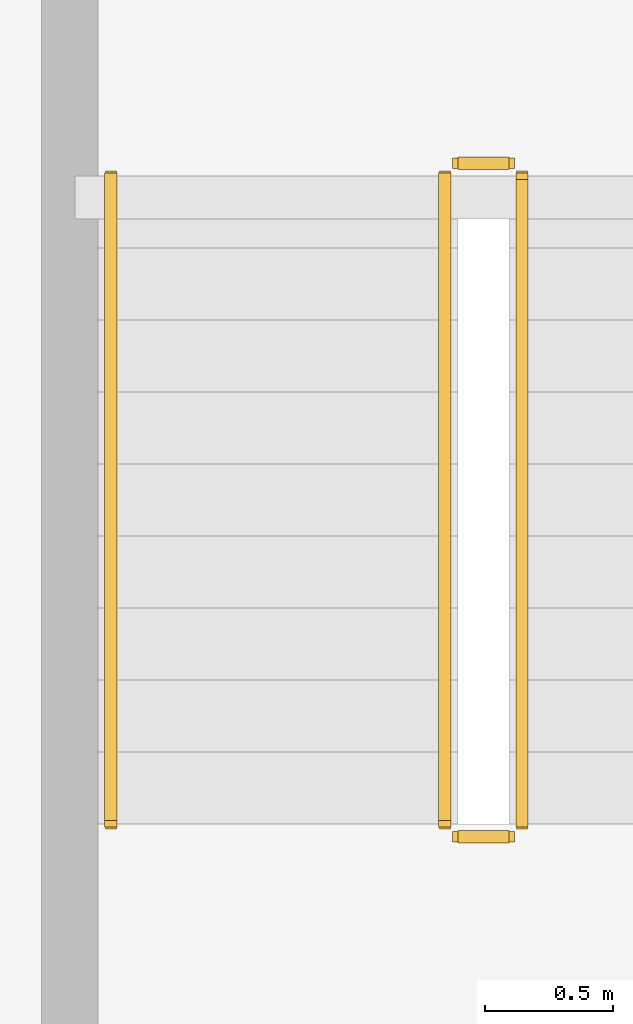
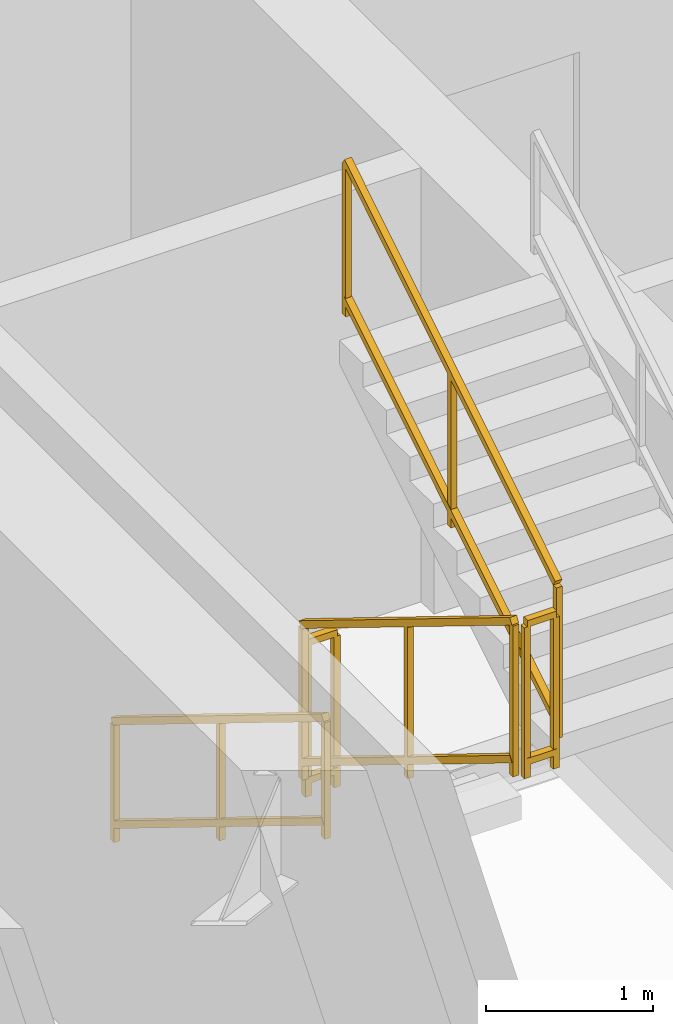
# One storey, part 29 of 32: 5 railings.
"""IFC4 building model written with IfcOpenShell, lengths in metres."""

from ifc_helpers import new_model, si_unit, direction, frame, origin, origin_2d, place, context, subcontext, project, spatial, rectangle, extrude, material, type_object, element, save


model = new_model("IFC4")

# Units and contexts
model_context = context("Model", 3, precision=1e-05, world=origin(), true_north=direction((0.0, 1.0)))
body_context = subcontext(model_context, "Body", "Model", "MODEL_VIEW")
ifc_project = project(units=[si_unit("LENGTHUNIT", "METRE"), si_unit("AREAUNIT", "SQUARE_METRE"), si_unit("VOLUMEUNIT", "CUBIC_METRE"), si_unit("PLANEANGLEUNIT", "RADIAN"), si_unit("MASSUNIT", "GRAM", prefix="KILO")], contexts=[model_context])

# Site, building, storey
site_placement = place(None, origin())
site = spatial("IfcSite", under=ifc_project, at=site_placement, CompositionType="ELEMENT")
building_placement = place(site_placement, origin())
building = spatial("IfcBuilding", under=site, at=building_placement, Name="Qarnah Convention Tower", CompositionType="ELEMENT")
storey_placement = place(building_placement, frame((0.0, 0.0, 37.35009765625)))
storey = spatial("IfcBuildingStorey", under=building, at=storey_placement, Name="L08", CompositionType="ELEMENT", Elevation=37.35009765625)

# Railings
ifc_material = material(Name="Structural steel S355JR", Category="steel")
railing_type_1 = type_object("IfcRailingType", Name="RL-STAIR-GUARD-1150", PredefinedType="GUARDRAIL", material=ifc_material)
railing_1_placement = place(storey_placement, frame((28.89990234375, 25.300048828125, 0.17236328125)))
element("IfcRailing", 1, at=railing_1_placement, inside=storey, type_object=railing_type_1, Name="L08 ST-1 stair guard 1", PredefinedType="GUARDRAIL", context=body_context, shape_type="SweptSolid", body=[
    extrude(rectangle(XDim=0.048095703125, YDim=0.048095703125, at=origin_2d()), frame((0.0, 0.0, 1.1259765625), z_axis=(0.0, -0.851400495292, 0.524516154772), x_axis=(1.0, 0.0, 0.0)), (0.0, 0.0, 1.0), 2.9599609375),
    extrude(rectangle(XDim=0.048095703125, YDim=0.048095703125, at=origin_2d()), frame((0.0, 0.0, 0.1201171875), z_axis=(0.0, -0.851400495292, 0.524516154772), x_axis=(1.0, 0.0, 0.0)), (0.0, 0.0, 1.0), 2.9599609375),
    extrude(rectangle(XDim=0.0419921875, YDim=0.0419921875, at=origin_2d()), origin(), (0.0, 0.0, 1.0), 1.101806640625),
    extrude(rectangle(XDim=0.0419921875, YDim=0.0419921875, at=origin_2d()), frame((0.0, -1.260009765625, 0.7763671875)), (0.0, 0.0, 1.0), 1.101806640625),
    extrude(rectangle(XDim=0.0419921875, YDim=0.0419921875, at=origin_2d()), frame((0.0, -2.52001953125, 1.552490234375)), (0.0, 0.0, 1.0), 1.101806640625),
])
railing_2_placement = place(storey_placement, frame((28.949951171875, 22.72998046875, 1.724853515625)))
element("IfcRailing", 2, at=railing_2_placement, inside=storey, type_object=railing_type_1, Name="L08 ST-1 stair guard 2", PredefinedType="GUARDRAIL", context=body_context, shape_type="SweptSolid", body=[
    extrude(rectangle(XDim=0.048095703125, YDim=0.048095703125, at=origin_2d()), frame((0.0, 0.0, 1.1259765625), z_axis=(1.0, 0.0, 0.0), x_axis=(0.0, 1.0, 0.0)), (0.0, 0.0, 1.0), 0.199951171875),
    extrude(rectangle(XDim=0.048095703125, YDim=0.048095703125, at=origin_2d()), frame((0.0, 0.0, 0.1201171875), z_axis=(1.0, 0.0, 0.0), x_axis=(0.0, 1.0, 0.0)), (0.0, 0.0, 1.0), 0.199951171875),
    extrude(rectangle(XDim=0.0419921875, YDim=0.0419921875, at=origin_2d()), origin(), (0.0, 0.0, 1.0), 1.101806640625),
    extrude(rectangle(XDim=0.0419921875, YDim=0.0419921875, at=origin_2d()), frame((0.199951171875, 0.0, 0.0)), (0.0, 0.0, 1.0), 1.101806640625),
])
railing_3_placement = place(storey_placement, frame((29.199951171875, 22.780029296875, 1.8974609375)))
element("IfcRailing", 3, at=railing_3_placement, inside=storey, type_object=railing_type_1, Name="L08 ST-1 stair guard 3", PredefinedType="GUARDRAIL", context=body_context, shape_type="SweptSolid", body=[
    extrude(rectangle(XDim=0.048095703125, YDim=0.048095703125, at=origin_2d()), frame((0.0, 0.0, 1.1259765625), z_axis=(0.0, 0.851400495292, 0.524516154772), x_axis=(-1.0, 0.0, 0.0)), (0.0, 0.0, 1.0), 2.9599609375),
    extrude(rectangle(XDim=0.048095703125, YDim=0.048095703125, at=origin_2d()), frame((0.0, 0.0, 0.1201171875), z_axis=(0.0, 0.851400495292, 0.524516154772), x_axis=(-1.0, 0.0, 0.0)), (0.0, 0.0, 1.0), 2.9599609375),
    extrude(rectangle(XDim=0.0419921875, YDim=0.0419921875, at=origin_2d()), origin(), (0.0, 0.0, 1.0), 1.101806640625),
    extrude(rectangle(XDim=0.0419921875, YDim=0.0419921875, at=origin_2d()), frame((0.0, 1.260009765625, 0.7763671875)), (0.0, 0.0, 1.0), 1.101806640625),
    extrude(rectangle(XDim=0.0419921875, YDim=0.0419921875, at=origin_2d()), frame((0.0, 2.52001953125, 1.552490234375)), (0.0, 0.0, 1.0), 1.101806640625),
])
railing_4_placement = place(storey_placement, frame((28.949951171875, 25.35009765625, 0.0)))
element("IfcRailing", 4, at=railing_4_placement, inside=storey, type_object=railing_type_1, Name="L08 ST-1 stair guard 4", PredefinedType="GUARDRAIL", context=body_context, shape_type="SweptSolid", body=[
    extrude(rectangle(XDim=0.048095703125, YDim=0.048095703125, at=origin_2d()), frame((0.0, 0.0, 1.1259765625), z_axis=(1.0, 0.0, 0.0), x_axis=(0.0, 1.0, 0.0)), (0.0, 0.0, 1.0), 0.199951171875),
    extrude(rectangle(XDim=0.048095703125, YDim=0.048095703125, at=origin_2d()), frame((0.0, 0.0, 0.1201171875), z_axis=(1.0, 0.0, 0.0), x_axis=(0.0, 1.0, 0.0)), (0.0, 0.0, 1.0), 0.199951171875),
    extrude(rectangle(XDim=0.0419921875, YDim=0.0419921875, at=origin_2d()), origin(), (0.0, 0.0, 1.0), 1.101806640625),
    extrude(rectangle(XDim=0.0419921875, YDim=0.0419921875, at=origin_2d()), frame((0.199951171875, 0.0, 0.0)), (0.0, 0.0, 1.0), 1.101806640625),
])
railing_type_2 = type_object("IfcRailingType", Name="RL-STAIR-HAND-900", PredefinedType="HANDRAIL", material=ifc_material)
railing_5_placement = place(storey_placement, frame((27.60009765625, 25.300048828125, 0.17236328125)))
element("IfcRailing", 5, at=railing_5_placement, inside=storey, type_object=railing_type_2, Name="L08 ST-1 stair handrail 1", PredefinedType="HANDRAIL", context=body_context, shape_type="SweptSolid", body=[
    extrude(rectangle(XDim=0.048095703125, YDim=0.048095703125, at=origin_2d()), frame((0.0, 0.0, 0.8759765625), z_axis=(0.0, -0.851400495292, 0.524516154772), x_axis=(1.0, 0.0, 0.0)), (0.0, 0.0, 1.0), 2.9599609375),
    extrude(rectangle(XDim=0.048095703125, YDim=0.048095703125, at=origin_2d()), frame((0.0, 0.0, 0.1201171875), z_axis=(0.0, -0.851400495292, 0.524516154772), x_axis=(1.0, 0.0, 0.0)), (0.0, 0.0, 1.0), 2.9599609375),
    extrude(rectangle(XDim=0.0419921875, YDim=0.0419921875, at=origin_2d()), origin(), (0.0, 0.0, 1.0), 0.851806640625),
    extrude(rectangle(XDim=0.0419921875, YDim=0.0419921875, at=origin_2d()), frame((0.0, -1.260009765625, 0.7763671875)), (0.0, 0.0, 1.0), 0.851806640625),
    extrude(rectangle(XDim=0.0419921875, YDim=0.0419921875, at=origin_2d()), frame((0.0, -2.52001953125, 1.552490234375)), (0.0, 0.0, 1.0), 0.851806640625),
])

save(model, "model.ifc")
